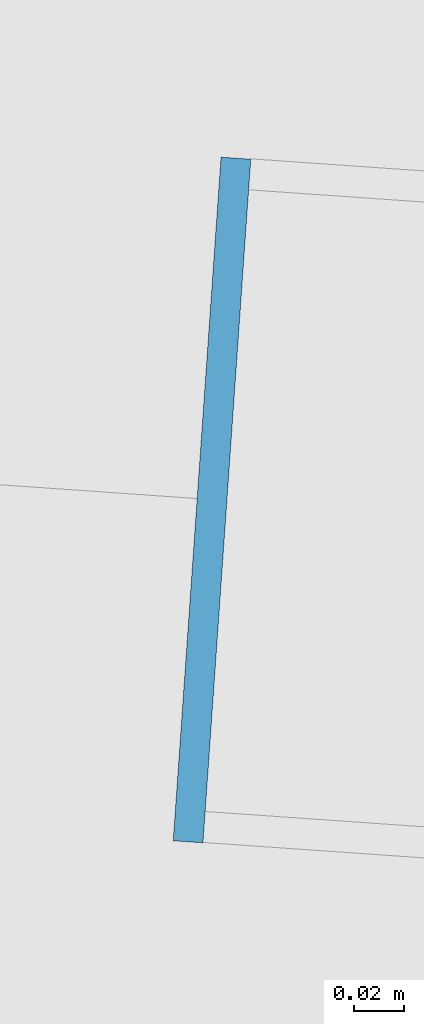
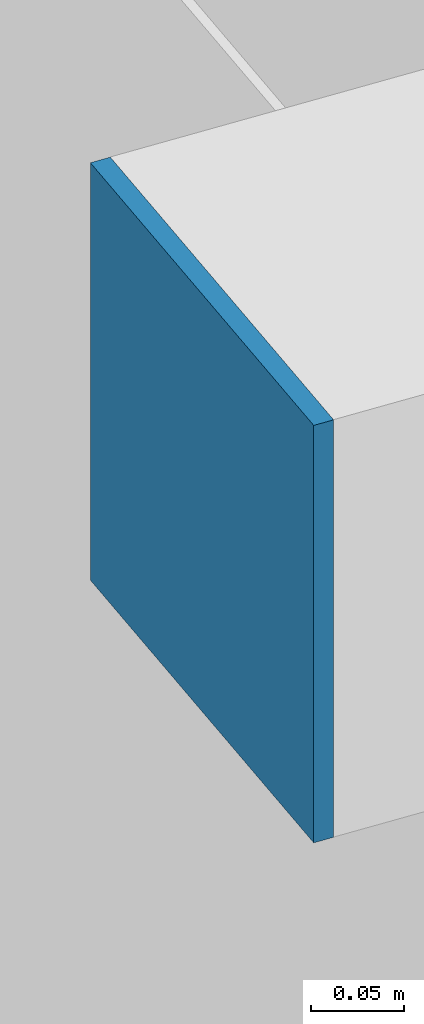
# One storey, part 29 of 39: 1 plate.
"""IFC4 building model written with IfcOpenShell, lengths in metres."""

from ifc_helpers import new_model, si_unit, direction, frame, origin, origin_2d, place, context, subcontext, project, spatial, rectangle, extrude, source, transform, mapped, material, layer, layer_set, type_object, element, save


model = new_model("IFC4")

# Units and contexts
model_context = context("Model", 3, precision=1e-05, world=origin(), true_north=direction((0.0, 1.0)))
body_context = subcontext(model_context, "Body", "Model", "MODEL_VIEW")
ifc_project = project(units=[si_unit("LENGTHUNIT", "METRE"), si_unit("AREAUNIT", "SQUARE_METRE"), si_unit("VOLUMEUNIT", "CUBIC_METRE"), si_unit("PLANEANGLEUNIT", "RADIAN"), si_unit("MASSUNIT", "GRAM", prefix="KILO")], contexts=[model_context])

# Site, building, storey
site_placement = place(None, origin())
site = spatial("IfcSite", under=ifc_project, at=site_placement, CompositionType="ELEMENT")
building_placement = place(site_placement, origin())
building = spatial("IfcBuilding", under=site, at=building_placement, Name="Taldren Reach Tower", CompositionType="ELEMENT")
storey_placement = place(building_placement, frame((0.0, 0.0, 148.75)))
storey = spatial("IfcBuildingStorey", under=building, at=storey_placement, Name="L45", CompositionType="ELEMENT", Elevation=148.75)

# Plate
ifc_material = material(Name="Steel Gr 450 (C450L0)", Category="steel")
ifc_layer = layer(ifc_material, 0.011962890625)
ifc_layer_set = layer_set([ifc_layer], Name="Steel Gr 450 (C450L0)")
plate_type = type_object("IfcPlateType", Name="PL-CAP-275", PredefinedType="SHEET", material=ifc_layer_set)
shared_shape = source(origin(), body_context, "Body", "SweptSolid", [
    extrude(rectangle(XDim=0.011962890625, YDim=0.27490234375, at=origin_2d()), origin(), (0.0, 0.0, 1.0), 0.27490234375),
])
plate_placement = place(storey_placement, frame((8.3095703125, 21.976806640625, 2.512451171875), z_axis=(0.0, 0.0, 1.0), x_axis=(0.99756405026, -0.069756473744, 0.0)))
element("IfcPlate", 1, at=plate_placement, inside=storey, type_object=plate_type, Name="Tie strut end cap plate B3-W2 L45", PredefinedType="SHEET", context=body_context, shape_type="MappedRepresentation", body=[
    mapped(shared_shape, transform((0.0, 0.0, 0.0), scale=1.0)),
])

save(model, "model.ifc")
